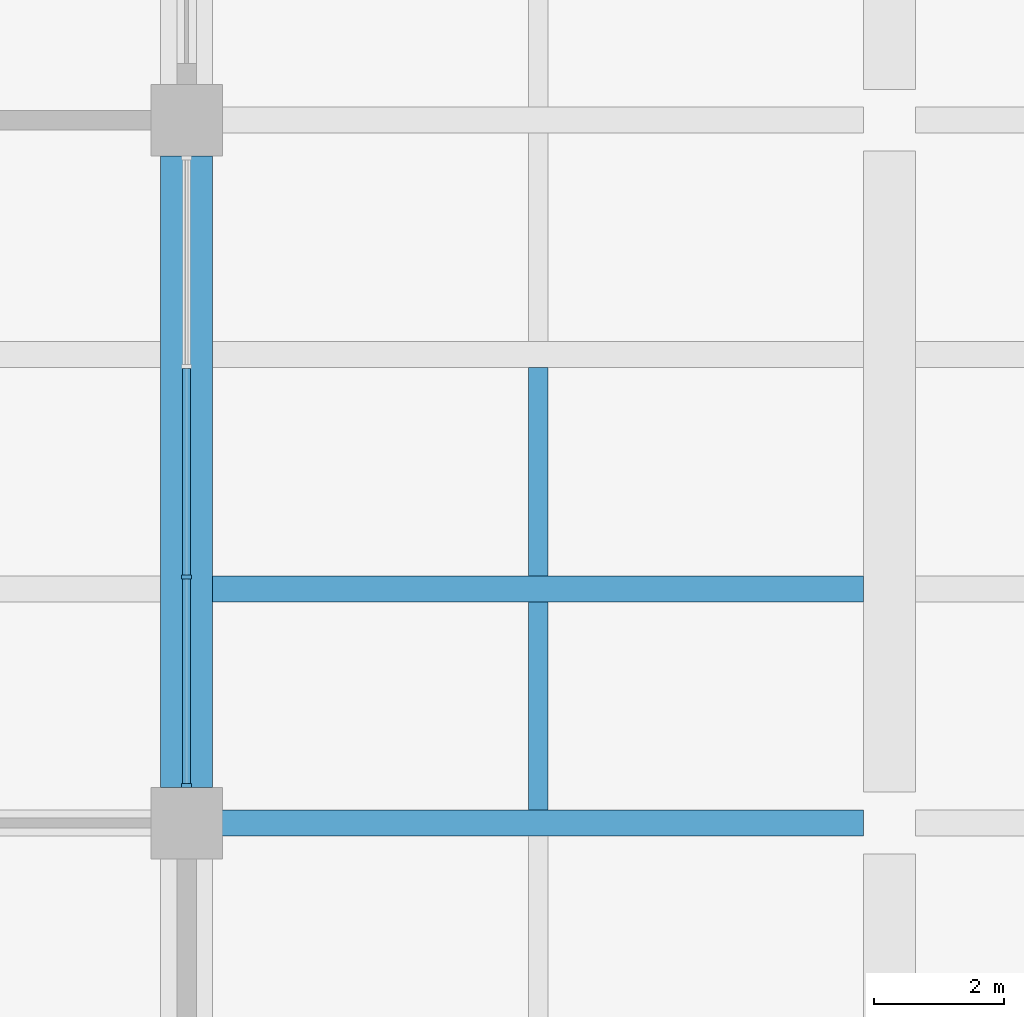
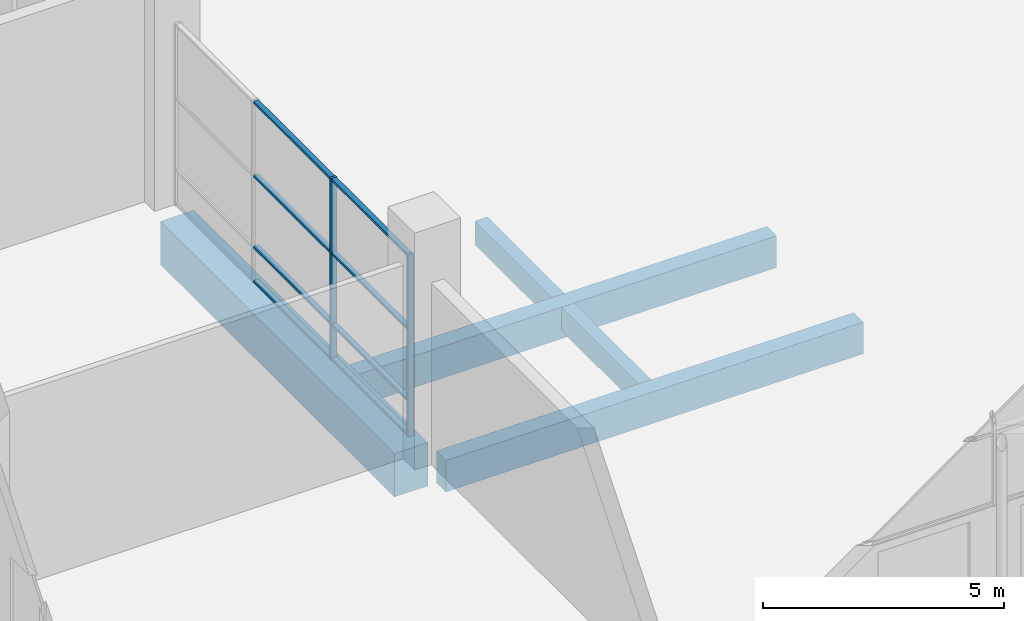
# One storey, part 21 of 71: 10 members, 5 beams, 1 element without a shape of its own.
"""IFC4 building model written with IfcOpenShell, lengths in metres."""

from ifc_helpers import new_model, si_unit, direction, frame, origin, origin_2d, place, context, subcontext, project, spatial, rectangle, extrude, material, layer, layer_set, material_profile, profile_set, type_object, element, aggregate, save


model = new_model("IFC4")

# Units and contexts
model_context = context("Model", 3, precision=1e-05, world=origin(), true_north=direction((0.0, 1.0)))
body_context = subcontext(model_context, "Body", "Model", "MODEL_VIEW")
ifc_project = project(units=[si_unit("LENGTHUNIT", "METRE"), si_unit("AREAUNIT", "SQUARE_METRE"), si_unit("VOLUMEUNIT", "CUBIC_METRE"), si_unit("PLANEANGLEUNIT", "RADIAN"), si_unit("MASSUNIT", "GRAM", prefix="KILO")], contexts=[model_context])

# Site, building, storey
site_placement = place(None, origin())
site = spatial("IfcSite", under=ifc_project, at=site_placement, CompositionType="ELEMENT")
building_placement = place(site_placement, origin())
building = spatial("IfcBuilding", under=site, at=building_placement, Name="Basin Gate Institute", CompositionType="ELEMENT")
storey_placement = place(building_placement, origin())
storey = spatial("IfcBuildingStorey", under=building, at=storey_placement, Name="L00", CompositionType="ELEMENT", Elevation=0.0)

# Beams
ifc_material_1 = material(Name="Concrete 40 MPa", Category="concrete")
ifc_material_profile_1 = material_profile(ifc_material_1, rectangle(XDim=0.39990234375, YDim=0.800048828125, at=origin_2d()), Name="Beam B2 400 x 800")
ifc_profile_set_1 = profile_set([ifc_material_profile_1], Name="Concrete 40 MPa")
beam_type_1 = type_object("IfcBeamType", Name="Beam B2 R180", PredefinedType="BEAM", material=ifc_profile_set_1)
for number, where, z_axis, x_axis, name in (
    (1, (79.60009765625, 45.89990234375, -0.699951171875), (1.0, 0.0, 0.0), (0.0, 1.0, 0.0), "BEAM/L00/CAN/W/04"),
    (2, (79.60009765625, 49.5, -0.699951171875), (1.0, 0.0, 0.0), (0.0, 1.0, 0.0), "BEAM/L00/CAN/W/05"),
):
    element("IfcBeam", number, at=place(storey_placement, frame(where, z_axis=z_axis, x_axis=x_axis)), inside=storey, type_object=beam_type_1, material=ifc_profile_set_1, Name=name, PredefinedType="BEAM", context=body_context, shape_type="SweptSolid", body=[
        extrude(rectangle(XDim=0.39990234375, YDim=0.800048828125, at=origin_2d()), origin(), (0.0, 0.0, 1.0), 10.0),
    ])
ifc_material_2 = material(Name="Concrete 50 MPa", Category="concrete")
ifc_material_profile_2 = material_profile(ifc_material_2, rectangle(XDim=0.800048828125, YDim=1.10009765625, at=origin_2d()), Name="Girder G2 800 x 1100")
ifc_profile_set_2 = profile_set([ifc_material_profile_2], Name="Concrete 50 MPa")
beam_type_2 = type_object("IfcBeamType", Name="Girder G2 R180", PredefinedType="BEAM", material=ifc_profile_set_2)
beam_placement = place(storey_placement, frame((79.199951171875, 46.449951171875, -0.85009765625), z_axis=(0.0, 1.0, 0.0), x_axis=(-1.0, 0.0, 0.0)))
element("IfcBeam", 3, at=beam_placement, inside=storey, type_object=beam_type_2, material=ifc_profile_set_2, Name="GIR/L00/W6/2", PredefinedType="BEAM", context=body_context, shape_type="SweptSolid", body=[
    extrude(rectangle(XDim=0.800048828125, YDim=1.10009765625, at=origin_2d()), origin(), (0.0, 0.0, 1.0), 9.699951171875),
])

# Curtain wall, members
ifc_material_3 = material(Name="Fire-resistant glazing in steel-free frame", Category="steel")
ifc_layer = layer(ifc_material_3, 0.199951171875)
ifc_layer_set = layer_set([ifc_layer], Name="Fire-resistant glazing in steel-free frame")
curtain_wall_type = type_object("IfcCurtainWallType", Name="Atrium rated curtain wall CW3", PredefinedType="NOTDEFINED", material=ifc_layer_set)
curtain_wall_placement = place(storey_placement, origin())
curtain_wall = element("IfcCurtainWall", 4, at=curtain_wall_placement, inside=storey, type_object=curtain_wall_type, material=ifc_layer_set, Name="Atrium rated curtain wall W wing atrium bay 2 L00", PredefinedType="NOTDEFINED")
ifc_material_4 = material(Name="Aluminium", Category="aluminium")
ifc_material_profile_3 = material_profile(ifc_material_4, rectangle(XDim=0.14990234375, YDim=0.06005859375, at=origin_2d()), Name="Mullion MU3 150 x 60")
ifc_profile_set_3 = profile_set([ifc_material_profile_3], Name="Aluminium")
member_type_1 = type_object("IfcMemberType", Name="Mullion MU3", PredefinedType="MULLION", material=ifc_profile_set_3)
member_1_placement = place(storey_placement, frame((79.199951171875, 46.47998046875, 0.0), z_axis=(0.0, 0.0, 1.0), x_axis=(-1.0, 0.0, 0.0)))
member_1 = element("IfcMember", 5, at=member_1_placement, type_object=member_type_1, material=ifc_profile_set_3, Name="CW3 mullion 1", PredefinedType="MULLION", context=body_context, shape_type="SweptSolid", body=[
    extrude(rectangle(XDim=0.14990234375, YDim=0.06005859375, at=origin_2d()), origin(), (0.0, 0.0, 1.0), 4.60009765625),
])
member_2_placement = place(storey_placement, frame((79.199951171875, 49.683349609375, 0.0), z_axis=(0.0, 0.0, 1.0), x_axis=(-1.0, 0.0, 0.0)))
member_2 = element("IfcMember", 6, at=member_2_placement, type_object=member_type_1, material=ifc_profile_set_3, Name="CW3 mullion 2", PredefinedType="MULLION", context=body_context, shape_type="SweptSolid", body=[
    extrude(rectangle(XDim=0.14990234375, YDim=0.06005859375, at=origin_2d()), origin(), (0.0, 0.0, 1.0), 4.60009765625),
])

# Beams
ifc_material_5 = material(Name="Concrete 40 MPa", Category="concrete")
ifc_material_profile_4 = material_profile(ifc_material_5, rectangle(XDim=0.300048828125, YDim=0.60009765625, at=origin_2d()), Name="Rib R2 300 x 600")
ifc_profile_set_4 = profile_set([ifc_material_profile_4], Name="Concrete 40 MPa")
beam_type_3 = type_object("IfcBeamType", Name="Rib R2 R180", PredefinedType="JOIST", material=ifc_profile_set_4)
for number, where, z_axis, x_axis, name in (
    (7, (84.60009765625, 46.10009765625, -0.60009765625), (0.0, 1.0, 0.0), (-1.0, 0.0, 0.0), "BEAM/L00/CAN/RIBW/04"),
    (8, (84.60009765625, 49.699951171875, -0.60009765625), (0.0, 1.0, 0.0), (-1.0, 0.0, 0.0), "BEAM/L00/CAN/RIBW/05"),
):
    element("IfcBeam", number, at=place(storey_placement, frame(where, z_axis=z_axis, x_axis=x_axis)), inside=storey, type_object=beam_type_3, material=ifc_profile_set_4, Name=name, PredefinedType="JOIST", context=body_context, shape_type="SweptSolid", body=[
        extrude(rectangle(XDim=0.300048828125, YDim=0.60009765625, at=origin_2d()), origin(), (0.0, 0.0, 1.0), 3.199951171875),
    ])

# Member
ifc_material_6 = material(Name="Aluminium", Category="aluminium")
ifc_material_profile_5 = material_profile(ifc_material_6, rectangle(XDim=0.1201171875, YDim=0.06005859375, at=origin_2d()), Name="Transom TR3 120 x 60")
ifc_profile_set_5 = profile_set([ifc_material_profile_5], Name="Aluminium")
member_type_2 = type_object("IfcMemberType", Name="Transom TR3", PredefinedType="USERDEFINED", material=ifc_profile_set_5)
member_3_placement = place(storey_placement, frame((79.199951171875, 46.510009765625, 0.030029296875), z_axis=(0.0, 1.0, 0.0), x_axis=(-1.0, 0.0, 0.0)))
member_3 = element("IfcMember", 9, at=member_3_placement, type_object=member_type_2, material=ifc_profile_set_5, Name="CW3 transom 1.1", ObjectType="TRANSOM", PredefinedType="USERDEFINED", context=body_context, shape_type="SweptSolid", body=[
    extrude(rectangle(XDim=0.1201171875, YDim=0.06005859375, at=origin_2d()), origin(), (0.0, 0.0, 1.0), 3.143310546875),
])

member_4_placement = place(storey_placement, frame((79.199951171875, 46.510009765625, 0.89990234375), z_axis=(0.0, 1.0, 0.0), x_axis=(-1.0, 0.0, 0.0)))
member_4 = element("IfcMember", 10, at=member_4_placement, type_object=member_type_2, material=ifc_profile_set_5, Name="CW3 transom 1.2", ObjectType="TRANSOM", PredefinedType="USERDEFINED", context=body_context, shape_type="SweptSolid", body=[
    extrude(rectangle(XDim=0.1201171875, YDim=0.06005859375, at=origin_2d()), origin(), (0.0, 0.0, 1.0), 3.143310546875),
])

member_5_placement = place(storey_placement, frame((79.199951171875, 46.510009765625, 2.699951171875), z_axis=(0.0, 1.0, 0.0), x_axis=(-1.0, 0.0, 0.0)))
member_5 = element("IfcMember", 11, at=member_5_placement, type_object=member_type_2, material=ifc_profile_set_5, Name="CW3 transom 1.3", ObjectType="TRANSOM", PredefinedType="USERDEFINED", context=body_context, shape_type="SweptSolid", body=[
    extrude(rectangle(XDim=0.1201171875, YDim=0.06005859375, at=origin_2d()), origin(), (0.0, 0.0, 1.0), 3.143310546875),
])

member_6_placement = place(storey_placement, frame((79.199951171875, 46.510009765625, 4.570068359375), z_axis=(0.0, 1.0, 0.0), x_axis=(-1.0, 0.0, 0.0)))
member_6 = element("IfcMember", 12, at=member_6_placement, type_object=member_type_2, material=ifc_profile_set_5, Name="CW3 transom 1.4", ObjectType="TRANSOM", PredefinedType="USERDEFINED", context=body_context, shape_type="SweptSolid", body=[
    extrude(rectangle(XDim=0.1201171875, YDim=0.06005859375, at=origin_2d()), origin(), (0.0, 0.0, 1.0), 3.143310546875),
])

member_7_placement = place(storey_placement, frame((79.199951171875, 49.71337890625, 0.030029296875), z_axis=(0.0, 1.0, 0.0), x_axis=(-1.0, 0.0, 0.0)))
member_7 = element("IfcMember", 13, at=member_7_placement, type_object=member_type_2, material=ifc_profile_set_5, Name="CW3 transom 2.1", ObjectType="TRANSOM", PredefinedType="USERDEFINED", context=body_context, shape_type="SweptSolid", body=[
    extrude(rectangle(XDim=0.1201171875, YDim=0.06005859375, at=origin_2d()), origin(), (0.0, 0.0, 1.0), 3.17333984375),
])

member_8_placement = place(storey_placement, frame((79.199951171875, 49.71337890625, 0.89990234375), z_axis=(0.0, 1.0, 0.0), x_axis=(-1.0, 0.0, 0.0)))
member_8 = element("IfcMember", 14, at=member_8_placement, type_object=member_type_2, material=ifc_profile_set_5, Name="CW3 transom 2.2", ObjectType="TRANSOM", PredefinedType="USERDEFINED", context=body_context, shape_type="SweptSolid", body=[
    extrude(rectangle(XDim=0.1201171875, YDim=0.06005859375, at=origin_2d()), origin(), (0.0, 0.0, 1.0), 3.17333984375),
])

member_9_placement = place(storey_placement, frame((79.199951171875, 49.71337890625, 2.699951171875), z_axis=(0.0, 1.0, 0.0), x_axis=(-1.0, 0.0, 0.0)))
member_9 = element("IfcMember", 15, at=member_9_placement, type_object=member_type_2, material=ifc_profile_set_5, Name="CW3 transom 2.3", ObjectType="TRANSOM", PredefinedType="USERDEFINED", context=body_context, shape_type="SweptSolid", body=[
    extrude(rectangle(XDim=0.1201171875, YDim=0.06005859375, at=origin_2d()), origin(), (0.0, 0.0, 1.0), 3.17333984375),
])

member_10_placement = place(storey_placement, frame((79.199951171875, 49.71337890625, 4.570068359375), z_axis=(0.0, 1.0, 0.0), x_axis=(-1.0, 0.0, 0.0)))
member_10 = element("IfcMember", 16, at=member_10_placement, type_object=member_type_2, material=ifc_profile_set_5, Name="CW3 transom 2.4", ObjectType="TRANSOM", PredefinedType="USERDEFINED", context=body_context, shape_type="SweptSolid", body=[
    extrude(rectangle(XDim=0.1201171875, YDim=0.06005859375, at=origin_2d()), origin(), (0.0, 0.0, 1.0), 3.17333984375),
])

aggregate(curtain_wall, [member_1, member_2, member_3, member_4, member_5, member_6, member_7, member_8, member_9, member_10])

save(model, "model.ifc")
